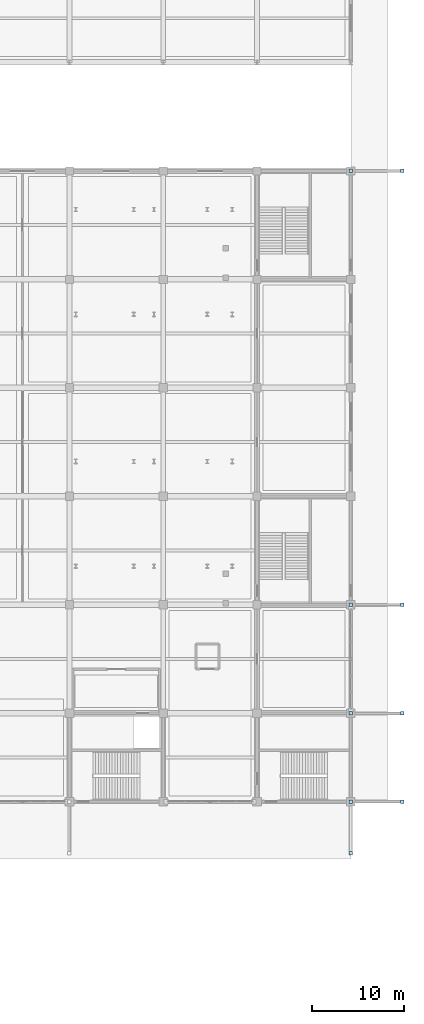
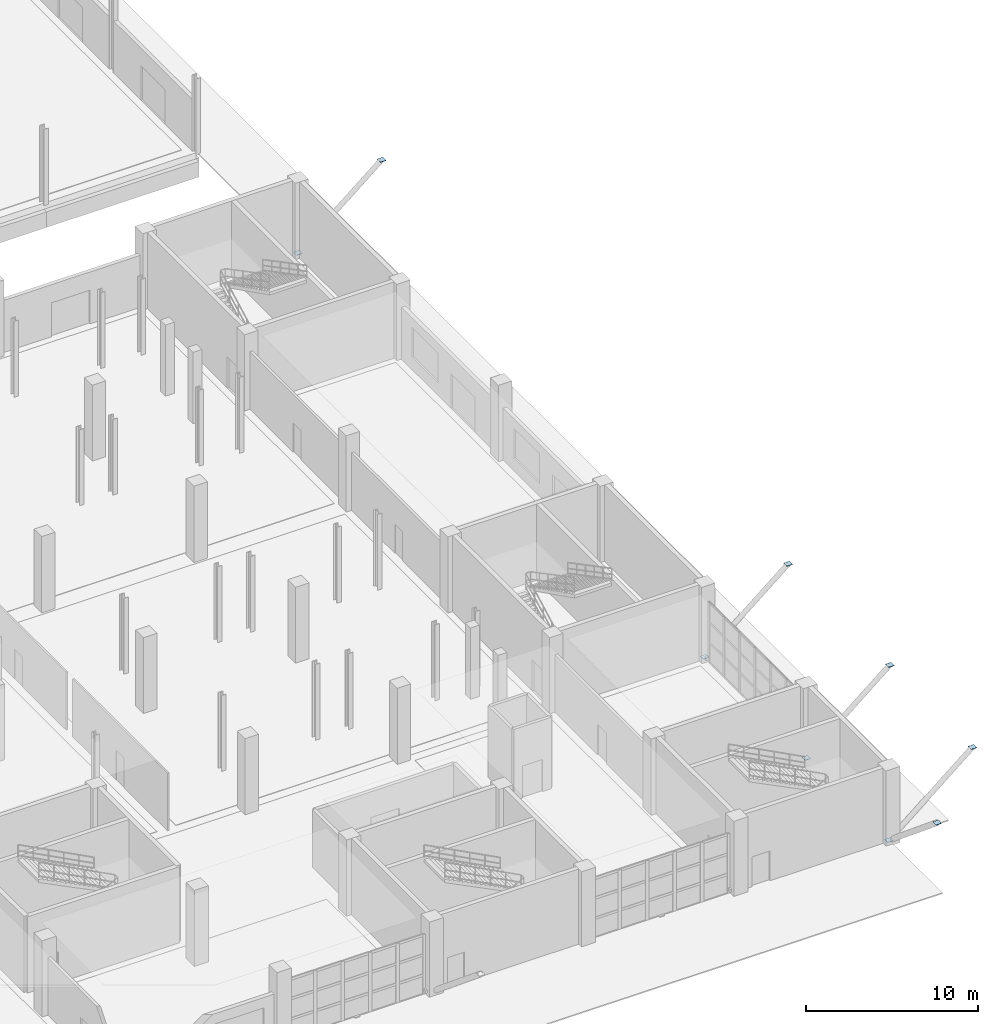
# One storey, part 84 of 124: 9 plates.
"""IFC4 building model written with IfcOpenShell, lengths in metres."""

from ifc_helpers import new_model, si_unit, direction, frame, origin, origin_2d, place, context, subcontext, project, spatial, rectangle, extrude, material, layer, layer_set, type_object, element, save


model = new_model("IFC4")

# Units and contexts
model_context = context("Model", 3, precision=1e-05, world=origin(), true_north=direction((0.0, 1.0)))
body_context = subcontext(model_context, "Body", "Model", "MODEL_VIEW")
ifc_project = project(units=[si_unit("LENGTHUNIT", "METRE"), si_unit("AREAUNIT", "SQUARE_METRE"), si_unit("VOLUMEUNIT", "CUBIC_METRE"), si_unit("PLANEANGLEUNIT", "RADIAN"), si_unit("MASSUNIT", "GRAM", prefix="KILO")], contexts=[model_context])

# Site, building, storey
site_placement = place(None, origin())
site = spatial("IfcSite", under=ifc_project, at=site_placement, CompositionType="ELEMENT")
building_placement = place(site_placement, origin())
building = spatial("IfcBuilding", under=site, at=building_placement, Name="Brelvane Convention Centre", CompositionType="ELEMENT")
storey_placement = place(building_placement, origin())
storey = spatial("IfcBuildingStorey", under=building, at=storey_placement, Name="L00", CompositionType="ELEMENT", Elevation=0.0)

# Plates
ifc_material = material(Name="Steel E450 (450 MPa)", Category="steel")
ifc_layer = layer(ifc_material, 0.02490234375)
ifc_layer_set = layer_set([ifc_layer], Name="Steel E450 (450 MPa)")
plate_type = type_object("IfcPlateType", Name="Steel Node Gusset Plate ND-3", PredefinedType="SHEET", material=ifc_layer_set)
for number, where, z_axis, x_axis, name in (
    (1, (224.39990234375, 19.199951171875, 0.03759765625), (0.0, 0.0, 1.0), (1.0, 0.0, 0.0), "Raked Strut Node V1-L00-23-bot"),
    (2, (224.39990234375, 13.60009765625, 4.66748046875), (0.0, 0.0, 1.0), (1.0, 0.0, 0.0), "Raked Strut Node V1-L00-23-top"),
    (3, (230.0, 19.199951171875, 4.66748046875), (0.0, 0.0, 1.0), (1.0, 0.0, 0.0), "Plenary Strut Node L01-Y19-top"),
    (4, (224.39990234375, 28.800048828125, 0.03759765625), (0.0, 0.0, 1.0), (1.0, 0.0, 0.0), "Plenary Strut Node L01-Y28-bot"),
    (5, (230.0, 28.800048828125, 4.66748046875), (0.0, 0.0, 1.0), (1.0, 0.0, 0.0), "Plenary Strut Node L01-Y28-top"),
    (6, (224.39990234375, 40.60009765625, 0.03759765625), (0.0, 0.0, 1.0), (1.0, 0.0, 0.0), "Plenary Strut Node L01-Y40-bot"),
    (7, (230.0, 40.60009765625, 4.66748046875), (0.0, 0.0, 1.0), (1.0, 0.0, 0.0), "Plenary Strut Node L01-Y40-top"),
    (8, (224.39990234375, 87.800048828125, 0.03759765625), (0.0, 0.0, 1.0), (1.0, 0.0, 0.0), "Plenary Strut Node L01-Y87-bot"),
    (9, (230.0, 87.800048828125, 4.66748046875), (0.0, 0.0, 1.0), (1.0, 0.0, 0.0), "Plenary Strut Node L01-Y87-top"),
):
    element("IfcPlate", number, at=place(storey_placement, frame(where, z_axis=z_axis, x_axis=x_axis)), inside=storey, type_object=plate_type, Name=name, PredefinedType="SHEET", context=body_context, shape_type="SweptSolid", body=[
        extrude(rectangle(XDim=0.3798828125, YDim=0.3798828125, at=origin_2d()), origin(), (0.0, 0.0, 1.0), 0.02490234375),
    ])

save(model, "model.ifc")
